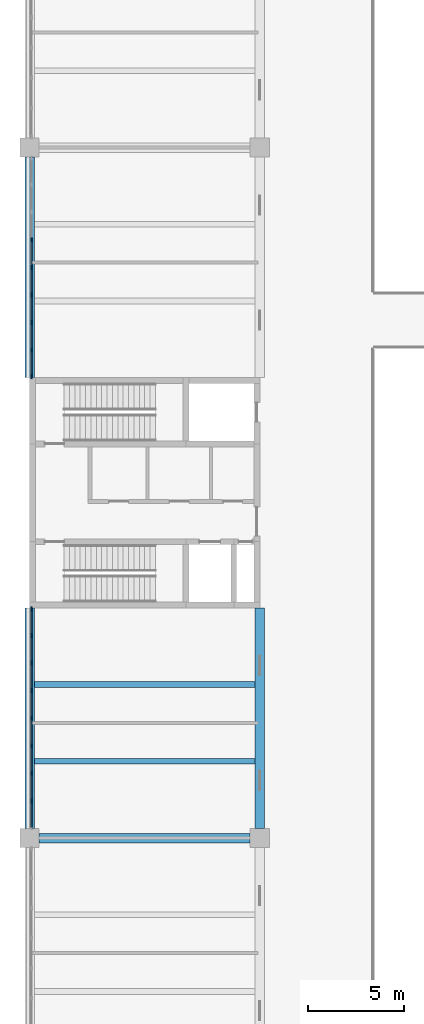
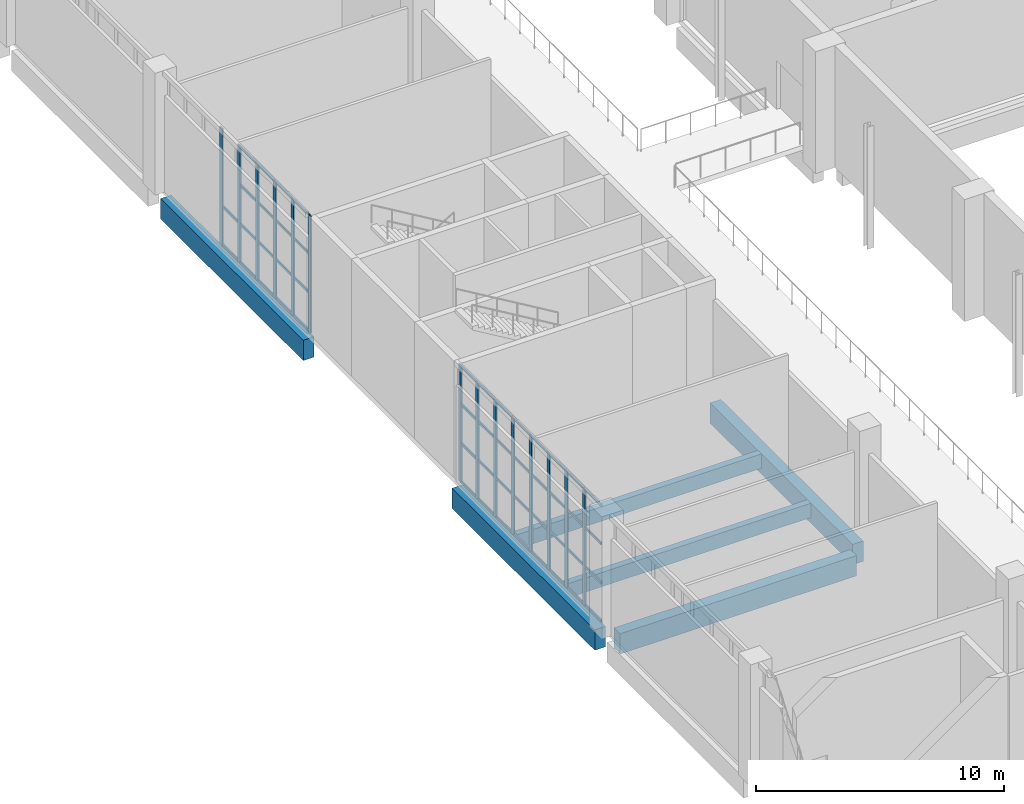
# One storey, part 15 of 72: 64 members, 6 beams, 2 elements without a shape of their own.
"""IFC4 building model written with IfcOpenShell, lengths in metres."""

import ifcopenshell
import ifcopenshell.guid

model = None  # the IFC model being written
_history = None  # IfcOwnerHistory: only IFC2X3 demands one
_inside = {}  # id of a spatial element -> (the spatial element, [elements in it])
_under = {}  # id of a project, library or spatial element -> (it, [spatial elements below it])
_declared = {}  # id of a project -> (the project, [libraries it declares])
_typed = {}  # id of a type object -> (the type object, [elements of that type])
_made_of = {}  # id of a material, layer set ... -> (it, [elements and type objects made of it])


def new_model(schema):
    """Start an empty IFC model of exactly this schema.

    Asked for "IFC4X3", IfcOpenShell would pick the latest addendum, in which some entities
    have other attributes; the version numbers below select the first issue.
    IFC2X3 requires an IfcOwnerHistory on every rooted entity: one is made here for all.
    """
    global model, _history
    if schema == "IFC4X3":
        model = ifcopenshell.file(schema_version=(4, 3, 0, 0))
    else:
        model = ifcopenshell.file(schema=schema)
    _inside.clear()
    _under.clear()
    _declared.clear()
    _typed.clear()
    _made_of.clear()
    _history = None
    if model.schema == "IFC2X3":
        org = make("IfcOrganization", Name="unknown")
        user = make(
            "IfcPersonAndOrganization",
            ThePerson=make("IfcPerson", FamilyName="unknown"),
            TheOrganization=org,
        )
        app = make(
            "IfcApplication",
            ApplicationDeveloper=org,
            Version="unknown",
            ApplicationFullName="unknown",
            ApplicationIdentifier="unknown",
        )
        _history = make(
            "IfcOwnerHistory",
            OwningUser=user,
            OwningApplication=app,
            ChangeAction="ADDED",
            CreationDate=0,
        )
    return model


def make(cls, **values):
    """One entity of the class cls with the attributes given. An attribute that is None is left unset."""
    return model.create_entity(
        cls, **{name: value for name, value in values.items() if value is not None}
    )


def rooted(cls, **values):
    """An entity with a GlobalId (a new one), such as an element, a storey or a relation."""
    return make(cls, GlobalId=ifcopenshell.guid.new(), OwnerHistory=_history, **values)


def si_unit(unit_type, name, prefix=None):
    """IfcSIUnit, for example si_unit("LENGTHUNIT", "METRE", prefix="MILLI")."""
    return make("IfcSIUnit", UnitType=unit_type, Prefix=prefix, Name=name)


def assignment(units):
    """IfcUnitAssignment: the units of a project."""
    return None if units is None else make("IfcUnitAssignment", Units=units)


def point(xyz):
    """IfcCartesianPoint."""
    return None if xyz is None else make("IfcCartesianPoint", Coordinates=xyz)


def direction(xyz):
    """IfcDirection."""
    return None if xyz is None else make("IfcDirection", DirectionRatios=xyz)


def frame(location, z_axis=None, x_axis=None):
    """IfcAxis2Placement3D, a coordinate frame: its origin and axes. An axis left out is left unset."""
    return make(
        "IfcAxis2Placement3D",
        Location=point(location),
        Axis=direction(z_axis),
        RefDirection=direction(x_axis),
    )


def frame_2d(location, x_axis=None):
    """IfcAxis2Placement2D, a coordinate frame in the plane: its origin and x axis."""
    return make(
        "IfcAxis2Placement2D", Location=point(location), RefDirection=direction(x_axis)
    )


def origin():
    """The frame at (0, 0, 0) with its axes left unset."""
    return frame((0.0, 0.0, 0.0))


def origin_2d():
    """The frame at (0, 0) in the plane with its x axis left unset."""
    return frame_2d((0.0, 0.0))


def place(relative_to, where):
    """IfcLocalPlacement: puts the frame where relative to a parent placement (None: the world)."""
    return make(
        "IfcLocalPlacement", PlacementRelTo=relative_to, RelativePlacement=where
    )


def context(
    kind, dimensions, precision=None, world=None, true_north=None, identifier=None
):
    """IfcGeometricRepresentationContext, for example the 3D "Model" context."""
    return make(
        "IfcGeometricRepresentationContext",
        ContextIdentifier=identifier,
        ContextType=kind,
        CoordinateSpaceDimension=dimensions,
        Precision=precision,
        WorldCoordinateSystem=world,
        TrueNorth=true_north,
    )


def subcontext(parent, identifier, kind, view, scale=None):
    """IfcGeometricRepresentationSubContext, for example "Body" below "Model"."""
    return make(
        "IfcGeometricRepresentationSubContext",
        ContextIdentifier=identifier,
        ContextType=kind,
        ParentContext=parent,
        TargetScale=scale,
        TargetView=view,
    )


def project(units=None, contexts=None):
    """IfcProject with its units and contexts."""
    return rooted(
        "IfcProject",
        Name="project",
        RepresentationContexts=contexts,
        UnitsInContext=assignment(units),
    )


def spatial(cls, under=None, at=None, **own):
    """A site, building, storey or space (cls), placed at a placement, below another one or the project."""
    s = rooted(cls, ObjectPlacement=at, **own)
    if under is not None:
        _under.setdefault(under.id(), (under, []))[1].append(s)
    return s


def profile(cls, at=None, kind="AREA", **sizes):
    """A parametric profile (cls). Its sizes go by their IFC names, for example OverallWidth=200.0."""
    return make(cls, ProfileType=kind, Position=at, **sizes)


def rectangle(**sizes):
    """IfcRectangleProfileDef."""
    return profile("IfcRectangleProfileDef", **sizes)


def extrude(swept, where, along, depth):
    """IfcExtrudedAreaSolid: the profile swept, set in the frame where, extruded along a direction by depth."""
    return make(
        "IfcExtrudedAreaSolid",
        SweptArea=swept,
        Position=where,
        ExtrudedDirection=direction(along),
        Depth=depth,
    )


def shape(context_of_items, identifier, shape_type, items):
    """IfcShapeRepresentation: the items that make up one representation, for example the "Body"."""
    return make(
        "IfcShapeRepresentation",
        ContextOfItems=context_of_items,
        RepresentationIdentifier=identifier,
        RepresentationType=shape_type,
        Items=items,
    )


def material(Name=None, Category=None):
    """IfcMaterial."""
    return make("IfcMaterial", Name=Name, Category=Category)


def layer(
    of_material, thickness, ventilated=None, Name=None, Category=None, Priority=None
):
    """IfcMaterialLayer: one layer of a wall or slab, of a material (None: an air gap)."""
    return make(
        "IfcMaterialLayer",
        Material=of_material,
        LayerThickness=thickness,
        IsVentilated=ventilated,
        Name=Name,
        Category=Category,
        Priority=Priority,
    )


def layer_set(layers, Name=None):
    """IfcMaterialLayerSet."""
    return make("IfcMaterialLayerSet", MaterialLayers=layers, LayerSetName=Name)


def material_profile(
    of_material, cross_section, Name=None, Category=None, Priority=None
):
    """IfcMaterialProfile: a cross section and its material."""
    return make(
        "IfcMaterialProfile",
        Name=Name,
        Material=of_material,
        Profile=cross_section,
        Priority=Priority,
        Category=Category,
    )


def profile_set(profiles, Name=None, composite=None):
    """IfcMaterialProfileSet."""
    return make(
        "IfcMaterialProfileSet",
        Name=Name,
        MaterialProfiles=profiles,
        CompositeProfile=composite,
    )


def made_of(thing, what):
    """Note that an element or type object is made of a material, layer set ...; save() writes the relation."""
    if what is not None:
        _made_of.setdefault(what.id(), (what, []))[1].append(thing)
    return thing


def type_object(cls, material=None, **own):
    """A type object (cls), such as IfcWallType, which elements share."""
    return made_of(rooted(cls, **own), material)


def element(
    cls,
    number,
    at=None,
    inside=None,
    cuts=None,
    type_object=None,
    material=None,
    context=None,
    identifier="Body",
    shape_type=None,
    held_by="IfcProductDefinitionShape",
    body=None,
    shapes=None,
    **own,
):
    """One element of the class cls, such as IfcWall. Its Tag is "e" and its number.

    at: its placement. inside: the storey or other place that contains it. cuts: it is an
    opening in that element (IfcRelVoidsElement). A single representation is given by context,
    identifier, shape_type and body (its items); several are given by shapes. held_by: the class
    of the entity that holds the representations. save() writes the other relations.
    """
    e = rooted(cls, Tag="e%d" % number, ObjectPlacement=at, **own)
    if body is not None:
        shapes = [shape(context, identifier, shape_type, body)]
    if shapes is not None:
        e.Representation = make(held_by, Representations=shapes)
    if inside is not None:
        _inside.setdefault(inside.id(), (inside, []))[1].append(e)
    if cuts is not None:
        rooted(
            "IfcRelVoidsElement", RelatingBuildingElement=cuts, RelatedOpeningElement=e
        )
    if type_object is not None:
        _typed.setdefault(type_object.id(), (type_object, []))[1].append(e)
    return made_of(e, material)


def aggregate(whole, parts):
    """IfcRelAggregates: a whole, such as a stair, and the parts it consists of."""
    return rooted("IfcRelAggregates", RelatingObject=whole, RelatedObjects=parts)


def save(model, path):
    """Write the relations noted so far, then the file.

    IfcRelAggregates (storeys below a building ...), IfcRelContainedInSpatialStructure (elements
    in a storey), IfcRelDefinesByType, IfcRelAssociatesMaterial and IfcRelDeclares: one each for
    every whole, place, type object, material and project.
    """
    for whole, parts in _under.values():
        aggregate(whole, parts)
    for where, things in _inside.values():
        rooted(
            "IfcRelContainedInSpatialStructure",
            RelatedElements=things,
            RelatingStructure=where,
        )
    for kind, things in _typed.values():
        rooted("IfcRelDefinesByType", RelatedObjects=things, RelatingType=kind)
    for what, things in _made_of.values():
        rooted("IfcRelAssociatesMaterial", RelatedObjects=things, RelatingMaterial=what)
    for by, libraries in _declared.values():
        rooted("IfcRelDeclares", RelatingContext=by, RelatedDefinitions=libraries)
    model.write(path)


model = new_model("IFC4")

# Units and contexts
model_context = context("Model", 3, precision=1e-05, world=origin(), true_north=direction((0.0, 1.0)))
body_context = subcontext(model_context, "Body", "Model", "MODEL_VIEW")
ifc_project = project(units=[si_unit("LENGTHUNIT", "METRE"), si_unit("AREAUNIT", "SQUARE_METRE"), si_unit("VOLUMEUNIT", "CUBIC_METRE"), si_unit("PLANEANGLEUNIT", "RADIAN"), si_unit("MASSUNIT", "GRAM", prefix="KILO")], contexts=[model_context])

# Site, building, storey
site_placement = place(None, origin())
site = spatial("IfcSite", under=ifc_project, at=site_placement, CompositionType="ELEMENT")
building_placement = place(site_placement, origin())
building = spatial("IfcBuilding", under=site, at=building_placement, Name="Lilac Gate Convention Centre", CompositionType="ELEMENT")
storey_placement = place(building_placement, frame((0.0, 0.0, 6.0)))
storey = spatial("IfcBuildingStorey", under=building, at=storey_placement, Name="L01", CompositionType="ELEMENT", Elevation=6.0)

# Curtain wall, members
ifc_material_1 = material(Name="Aluminium framed double glazing", Category="aluminium")
ifc_layer = layer(ifc_material_1, 0.199951171875)
ifc_layer_set = layer_set([ifc_layer], Name="Aluminium framed double glazing")
curtain_wall_type = type_object("IfcCurtainWallType", Name="Unitised curtain wall 1500", PredefinedType="NOTDEFINED", material=ifc_layer_set)
curtain_wall_1_placement = place(storey_placement, origin())
curtain_wall_1 = element("IfcCurtainWall", 1, at=curtain_wall_1_placement, inside=storey, type_object=curtain_wall_type, Name="Curtain wall PW L01 8", PredefinedType="NOTDEFINED")
ifc_material_2 = material(Name="Aluminium alloy 6063", Category="aluminium")
ifc_material_profile_1 = material_profile(ifc_material_2, rectangle(XDim=0.06005859375, YDim=0.219970703125, at=origin_2d()), Name="Curtain wall mullion 60 x 220")
ifc_profile_set_1 = profile_set([ifc_material_profile_1], Name="Aluminium alloy 6063")
member_type_1 = type_object("IfcMemberType", Name="Curtain wall mullion 60 x 220", PredefinedType="MULLION", material=ifc_profile_set_1)
member_1_placement = place(storey_placement, frame((6.10009765625, 109.1875, 0.0), z_axis=(0.0, 0.0, 1.0), x_axis=(1.0, 0.0, 0.0)))
member_1 = element("IfcMember", 2, at=member_1_placement, type_object=member_type_1, Name="CW mullion 4", PredefinedType="MULLION", context=body_context, shape_type="SweptSolid", body=[
    extrude(rectangle(XDim=0.06005859375, YDim=0.219970703125, at=origin_2d()), origin(), (0.0, 0.0, 1.0), 5.75),
])
member_2_placement = place(storey_placement, frame((6.10009765625, 107.75, 0.0), z_axis=(0.0, 0.0, 1.0), x_axis=(1.0, 0.0, 0.0)))
member_2 = element("IfcMember", 3, at=member_2_placement, type_object=member_type_1, Name="CW mullion 5", PredefinedType="MULLION", context=body_context, shape_type="SweptSolid", body=[
    extrude(rectangle(XDim=0.06005859375, YDim=0.219970703125, at=origin_2d()), origin(), (0.0, 0.0, 1.0), 5.75),
])
member_3_placement = place(storey_placement, frame((6.10009765625, 106.3125, 0.0), z_axis=(0.0, 0.0, 1.0), x_axis=(1.0, 0.0, 0.0)))
member_3 = element("IfcMember", 4, at=member_3_placement, type_object=member_type_1, Name="CW mullion 6", PredefinedType="MULLION", context=body_context, shape_type="SweptSolid", body=[
    extrude(rectangle(XDim=0.06005859375, YDim=0.219970703125, at=origin_2d()), origin(), (0.0, 0.0, 1.0), 5.75),
])
member_4_placement = place(storey_placement, frame((6.10009765625, 104.875, 0.0), z_axis=(0.0, 0.0, 1.0), x_axis=(1.0, 0.0, 0.0)))
member_4 = element("IfcMember", 5, at=member_4_placement, type_object=member_type_1, Name="CW mullion 7", PredefinedType="MULLION", context=body_context, shape_type="SweptSolid", body=[
    extrude(rectangle(XDim=0.06005859375, YDim=0.219970703125, at=origin_2d()), origin(), (0.0, 0.0, 1.0), 5.75),
])
member_5_placement = place(storey_placement, frame((6.10009765625, 103.4375, 0.0), z_axis=(0.0, 0.0, 1.0), x_axis=(1.0, 0.0, 0.0)))
member_5 = element("IfcMember", 6, at=member_5_placement, type_object=member_type_1, Name="CW mullion 8", PredefinedType="MULLION", context=body_context, shape_type="SweptSolid", body=[
    extrude(rectangle(XDim=0.06005859375, YDim=0.219970703125, at=origin_2d()), origin(), (0.0, 0.0, 1.0), 5.75),
])
member_6_placement = place(storey_placement, frame((6.10009765625, 102.06005859375, 0.0), z_axis=(0.0, 0.0, 1.0), x_axis=(1.0, 0.0, 0.0)))
member_6 = element("IfcMember", 7, at=member_6_placement, type_object=member_type_1, Name="CW mullion 9", PredefinedType="MULLION", context=body_context, shape_type="SweptSolid", body=[
    extrude(rectangle(XDim=0.06005859375, YDim=0.219970703125, at=origin_2d()), origin(), (0.0, 0.0, 1.0), 5.75),
])

curtain_wall_2_placement = place(storey_placement, origin())
curtain_wall_2 = element("IfcCurtainWall", 8, at=curtain_wall_2_placement, inside=storey, type_object=curtain_wall_type, Name="Curtain wall PW L01 9", PredefinedType="NOTDEFINED")
member_7_placement = place(storey_placement, frame((6.10009765625, 89.93994140625, 0.0), z_axis=(0.0, 0.0, 1.0), x_axis=(1.0, 0.0, 0.0)))
member_7 = element("IfcMember", 9, at=member_7_placement, type_object=member_type_1, Name="CW mullion 1", PredefinedType="MULLION", context=body_context, shape_type="SweptSolid", body=[
    extrude(rectangle(XDim=0.06005859375, YDim=0.219970703125, at=origin_2d()), origin(), (0.0, 0.0, 1.0), 5.75),
])
member_8_placement = place(storey_placement, frame((6.10009765625, 88.5625, 0.0), z_axis=(0.0, 0.0, 1.0), x_axis=(1.0, 0.0, 0.0)))
member_8 = element("IfcMember", 10, at=member_8_placement, type_object=member_type_1, Name="CW mullion 2", PredefinedType="MULLION", context=body_context, shape_type="SweptSolid", body=[
    extrude(rectangle(XDim=0.06005859375, YDim=0.219970703125, at=origin_2d()), origin(), (0.0, 0.0, 1.0), 5.75),
])
member_9_placement = place(storey_placement, frame((6.10009765625, 87.125, 0.0), z_axis=(0.0, 0.0, 1.0), x_axis=(1.0, 0.0, 0.0)))
member_9 = element("IfcMember", 11, at=member_9_placement, type_object=member_type_1, Name="CW mullion 3", PredefinedType="MULLION", context=body_context, shape_type="SweptSolid", body=[
    extrude(rectangle(XDim=0.06005859375, YDim=0.219970703125, at=origin_2d()), origin(), (0.0, 0.0, 1.0), 5.75),
])
member_10_placement = place(storey_placement, frame((6.10009765625, 85.6875, 0.0), z_axis=(0.0, 0.0, 1.0), x_axis=(1.0, 0.0, 0.0)))
member_10 = element("IfcMember", 12, at=member_10_placement, type_object=member_type_1, Name="CW mullion 4", PredefinedType="MULLION", context=body_context, shape_type="SweptSolid", body=[
    extrude(rectangle(XDim=0.06005859375, YDim=0.219970703125, at=origin_2d()), origin(), (0.0, 0.0, 1.0), 5.75),
])
member_11_placement = place(storey_placement, frame((6.10009765625, 84.25, 0.0), z_axis=(0.0, 0.0, 1.0), x_axis=(1.0, 0.0, 0.0)))
member_11 = element("IfcMember", 13, at=member_11_placement, type_object=member_type_1, Name="CW mullion 5", PredefinedType="MULLION", context=body_context, shape_type="SweptSolid", body=[
    extrude(rectangle(XDim=0.06005859375, YDim=0.219970703125, at=origin_2d()), origin(), (0.0, 0.0, 1.0), 5.75),
])
member_12_placement = place(storey_placement, frame((6.10009765625, 82.8125, 0.0), z_axis=(0.0, 0.0, 1.0), x_axis=(1.0, 0.0, 0.0)))
member_12 = element("IfcMember", 14, at=member_12_placement, type_object=member_type_1, Name="CW mullion 6", PredefinedType="MULLION", context=body_context, shape_type="SweptSolid", body=[
    extrude(rectangle(XDim=0.06005859375, YDim=0.219970703125, at=origin_2d()), origin(), (0.0, 0.0, 1.0), 5.75),
])
member_13_placement = place(storey_placement, frame((6.10009765625, 81.375, 0.0), z_axis=(0.0, 0.0, 1.0), x_axis=(1.0, 0.0, 0.0)))
member_13 = element("IfcMember", 15, at=member_13_placement, type_object=member_type_1, Name="CW mullion 7", PredefinedType="MULLION", context=body_context, shape_type="SweptSolid", body=[
    extrude(rectangle(XDim=0.06005859375, YDim=0.219970703125, at=origin_2d()), origin(), (0.0, 0.0, 1.0), 5.75),
])
member_14_placement = place(storey_placement, frame((6.10009765625, 79.9375, 0.0), z_axis=(0.0, 0.0, 1.0), x_axis=(1.0, 0.0, 0.0)))
member_14 = element("IfcMember", 16, at=member_14_placement, type_object=member_type_1, Name="CW mullion 8", PredefinedType="MULLION", context=body_context, shape_type="SweptSolid", body=[
    extrude(rectangle(XDim=0.06005859375, YDim=0.219970703125, at=origin_2d()), origin(), (0.0, 0.0, 1.0), 5.75),
])

# Member
ifc_material_profile_2 = material_profile(ifc_material_2, rectangle(XDim=0.06005859375, YDim=0.1201171875, at=origin_2d()), Name="Curtain wall transom 60 x 120")
ifc_profile_set_2 = profile_set([ifc_material_profile_2], Name="Aluminium alloy 6063")
member_type_2 = type_object("IfcMemberType", Name="Curtain wall transom 60 x 120", PredefinedType="USERDEFINED", material=ifc_profile_set_2)
member_15_placement = place(storey_placement, frame((6.10009765625, 109.157470703125, 0.030029296875), z_axis=(0.0, -1.0, 0.0), x_axis=(1.0, 0.0, 0.0)))
member_15 = element("IfcMember", 17, at=member_15_placement, type_object=member_type_2, Name="CW transom 4.1", ObjectType="TRANSOM", PredefinedType="USERDEFINED", context=body_context, shape_type="SweptSolid", body=[
    extrude(rectangle(XDim=0.06005859375, YDim=0.1201171875, at=origin_2d()), origin(), (0.0, 0.0, 1.0), 1.37744140625),
])

member_16_placement = place(storey_placement, frame((6.10009765625, 109.157470703125, 1.916748046875), z_axis=(0.0, -1.0, 0.0), x_axis=(1.0, 0.0, 0.0)))
member_16 = element("IfcMember", 18, at=member_16_placement, type_object=member_type_2, Name="CW transom 4.2", ObjectType="TRANSOM", PredefinedType="USERDEFINED", context=body_context, shape_type="SweptSolid", body=[
    extrude(rectangle(XDim=0.06005859375, YDim=0.1201171875, at=origin_2d()), origin(), (0.0, 0.0, 1.0), 1.37744140625),
])

member_17_placement = place(storey_placement, frame((6.10009765625, 107.719970703125, 0.030029296875), z_axis=(0.0, -1.0, 0.0), x_axis=(1.0, 0.0, 0.0)))
member_17 = element("IfcMember", 19, at=member_17_placement, type_object=member_type_2, Name="CW transom 5.1", ObjectType="TRANSOM", PredefinedType="USERDEFINED", context=body_context, shape_type="SweptSolid", body=[
    extrude(rectangle(XDim=0.06005859375, YDim=0.1201171875, at=origin_2d()), origin(), (0.0, 0.0, 1.0), 1.37744140625),
])

member_18_placement = place(storey_placement, frame((6.10009765625, 107.719970703125, 1.916748046875), z_axis=(0.0, -1.0, 0.0), x_axis=(1.0, 0.0, 0.0)))
member_18 = element("IfcMember", 20, at=member_18_placement, type_object=member_type_2, Name="CW transom 5.2", ObjectType="TRANSOM", PredefinedType="USERDEFINED", context=body_context, shape_type="SweptSolid", body=[
    extrude(rectangle(XDim=0.06005859375, YDim=0.1201171875, at=origin_2d()), origin(), (0.0, 0.0, 1.0), 1.37744140625),
])

member_19_placement = place(storey_placement, frame((6.10009765625, 107.719970703125, 3.833251953125), z_axis=(0.0, -1.0, 0.0), x_axis=(1.0, 0.0, 0.0)))
member_19 = element("IfcMember", 21, at=member_19_placement, type_object=member_type_2, Name="CW transom 5.3", ObjectType="TRANSOM", PredefinedType="USERDEFINED", context=body_context, shape_type="SweptSolid", body=[
    extrude(rectangle(XDim=0.06005859375, YDim=0.1201171875, at=origin_2d()), origin(), (0.0, 0.0, 1.0), 1.37744140625),
])

member_20_placement = place(storey_placement, frame((6.10009765625, 107.719970703125, 5.719970703125), z_axis=(0.0, -1.0, 0.0), x_axis=(1.0, 0.0, 0.0)))
member_20 = element("IfcMember", 22, at=member_20_placement, type_object=member_type_2, Name="CW transom 5.4", ObjectType="TRANSOM", PredefinedType="USERDEFINED", context=body_context, shape_type="SweptSolid", body=[
    extrude(rectangle(XDim=0.06005859375, YDim=0.1201171875, at=origin_2d()), origin(), (0.0, 0.0, 1.0), 1.37744140625),
])

member_21_placement = place(storey_placement, frame((6.10009765625, 106.282470703125, 0.030029296875), z_axis=(0.0, -1.0, 0.0), x_axis=(1.0, 0.0, 0.0)))
member_21 = element("IfcMember", 23, at=member_21_placement, type_object=member_type_2, Name="CW transom 6.1", ObjectType="TRANSOM", PredefinedType="USERDEFINED", context=body_context, shape_type="SweptSolid", body=[
    extrude(rectangle(XDim=0.06005859375, YDim=0.1201171875, at=origin_2d()), origin(), (0.0, 0.0, 1.0), 1.37744140625),
])

member_22_placement = place(storey_placement, frame((6.10009765625, 106.282470703125, 1.916748046875), z_axis=(0.0, -1.0, 0.0), x_axis=(1.0, 0.0, 0.0)))
member_22 = element("IfcMember", 24, at=member_22_placement, type_object=member_type_2, Name="CW transom 6.2", ObjectType="TRANSOM", PredefinedType="USERDEFINED", context=body_context, shape_type="SweptSolid", body=[
    extrude(rectangle(XDim=0.06005859375, YDim=0.1201171875, at=origin_2d()), origin(), (0.0, 0.0, 1.0), 1.37744140625),
])

member_23_placement = place(storey_placement, frame((6.10009765625, 106.282470703125, 3.833251953125), z_axis=(0.0, -1.0, 0.0), x_axis=(1.0, 0.0, 0.0)))
member_23 = element("IfcMember", 25, at=member_23_placement, type_object=member_type_2, Name="CW transom 6.3", ObjectType="TRANSOM", PredefinedType="USERDEFINED", context=body_context, shape_type="SweptSolid", body=[
    extrude(rectangle(XDim=0.06005859375, YDim=0.1201171875, at=origin_2d()), origin(), (0.0, 0.0, 1.0), 1.37744140625),
])

member_24_placement = place(storey_placement, frame((6.10009765625, 106.282470703125, 5.719970703125), z_axis=(0.0, -1.0, 0.0), x_axis=(1.0, 0.0, 0.0)))
member_24 = element("IfcMember", 26, at=member_24_placement, type_object=member_type_2, Name="CW transom 6.4", ObjectType="TRANSOM", PredefinedType="USERDEFINED", context=body_context, shape_type="SweptSolid", body=[
    extrude(rectangle(XDim=0.06005859375, YDim=0.1201171875, at=origin_2d()), origin(), (0.0, 0.0, 1.0), 1.37744140625),
])

member_25_placement = place(storey_placement, frame((6.10009765625, 104.844970703125, 0.030029296875), z_axis=(0.0, -1.0, 0.0), x_axis=(1.0, 0.0, 0.0)))
member_25 = element("IfcMember", 27, at=member_25_placement, type_object=member_type_2, Name="CW transom 7.1", ObjectType="TRANSOM", PredefinedType="USERDEFINED", context=body_context, shape_type="SweptSolid", body=[
    extrude(rectangle(XDim=0.06005859375, YDim=0.1201171875, at=origin_2d()), origin(), (0.0, 0.0, 1.0), 1.37744140625),
])

member_26_placement = place(storey_placement, frame((6.10009765625, 104.844970703125, 1.916748046875), z_axis=(0.0, -1.0, 0.0), x_axis=(1.0, 0.0, 0.0)))
member_26 = element("IfcMember", 28, at=member_26_placement, type_object=member_type_2, Name="CW transom 7.2", ObjectType="TRANSOM", PredefinedType="USERDEFINED", context=body_context, shape_type="SweptSolid", body=[
    extrude(rectangle(XDim=0.06005859375, YDim=0.1201171875, at=origin_2d()), origin(), (0.0, 0.0, 1.0), 1.37744140625),
])

member_27_placement = place(storey_placement, frame((6.10009765625, 104.844970703125, 3.833251953125), z_axis=(0.0, -1.0, 0.0), x_axis=(1.0, 0.0, 0.0)))
member_27 = element("IfcMember", 29, at=member_27_placement, type_object=member_type_2, Name="CW transom 7.3", ObjectType="TRANSOM", PredefinedType="USERDEFINED", context=body_context, shape_type="SweptSolid", body=[
    extrude(rectangle(XDim=0.06005859375, YDim=0.1201171875, at=origin_2d()), origin(), (0.0, 0.0, 1.0), 1.37744140625),
])

member_28_placement = place(storey_placement, frame((6.10009765625, 104.844970703125, 5.719970703125), z_axis=(0.0, -1.0, 0.0), x_axis=(1.0, 0.0, 0.0)))
member_28 = element("IfcMember", 30, at=member_28_placement, type_object=member_type_2, Name="CW transom 7.4", ObjectType="TRANSOM", PredefinedType="USERDEFINED", context=body_context, shape_type="SweptSolid", body=[
    extrude(rectangle(XDim=0.06005859375, YDim=0.1201171875, at=origin_2d()), origin(), (0.0, 0.0, 1.0), 1.37744140625),
])

member_29_placement = place(storey_placement, frame((6.10009765625, 103.407470703125, 0.030029296875), z_axis=(0.0, -1.0, 0.0), x_axis=(1.0, 0.0, 0.0)))
member_29 = element("IfcMember", 31, at=member_29_placement, type_object=member_type_2, Name="CW transom 8.1", ObjectType="TRANSOM", PredefinedType="USERDEFINED", context=body_context, shape_type="SweptSolid", body=[
    extrude(rectangle(XDim=0.06005859375, YDim=0.1201171875, at=origin_2d()), origin(), (0.0, 0.0, 1.0), 1.347412109375),
])

member_30_placement = place(storey_placement, frame((6.10009765625, 103.407470703125, 1.916748046875), z_axis=(0.0, -1.0, 0.0), x_axis=(1.0, 0.0, 0.0)))
member_30 = element("IfcMember", 32, at=member_30_placement, type_object=member_type_2, Name="CW transom 8.2", ObjectType="TRANSOM", PredefinedType="USERDEFINED", context=body_context, shape_type="SweptSolid", body=[
    extrude(rectangle(XDim=0.06005859375, YDim=0.1201171875, at=origin_2d()), origin(), (0.0, 0.0, 1.0), 1.347412109375),
])

member_31_placement = place(storey_placement, frame((6.10009765625, 103.407470703125, 3.833251953125), z_axis=(0.0, -1.0, 0.0), x_axis=(1.0, 0.0, 0.0)))
member_31 = element("IfcMember", 33, at=member_31_placement, type_object=member_type_2, Name="CW transom 8.3", ObjectType="TRANSOM", PredefinedType="USERDEFINED", context=body_context, shape_type="SweptSolid", body=[
    extrude(rectangle(XDim=0.06005859375, YDim=0.1201171875, at=origin_2d()), origin(), (0.0, 0.0, 1.0), 1.347412109375),
])

member_32_placement = place(storey_placement, frame((6.10009765625, 103.407470703125, 5.719970703125), z_axis=(0.0, -1.0, 0.0), x_axis=(1.0, 0.0, 0.0)))
member_32 = element("IfcMember", 34, at=member_32_placement, type_object=member_type_2, Name="CW transom 8.4", ObjectType="TRANSOM", PredefinedType="USERDEFINED", context=body_context, shape_type="SweptSolid", body=[
    extrude(rectangle(XDim=0.06005859375, YDim=0.1201171875, at=origin_2d()), origin(), (0.0, 0.0, 1.0), 1.347412109375),
])

aggregate(curtain_wall_1, [member_1, member_2, member_3, member_4, member_5, member_6, member_15, member_16, member_17, member_18, member_19, member_20, member_21, member_22, member_23, member_24, member_25, member_26, member_27, member_28, member_29, member_30, member_31, member_32])

member_33_placement = place(storey_placement, frame((6.10009765625, 89.93994140625, 0.030029296875), z_axis=(0.0, -1.0, 0.0), x_axis=(1.0, 0.0, 0.0)))
member_33 = element("IfcMember", 35, at=member_33_placement, type_object=member_type_2, Name="CW transom 1.1", ObjectType="TRANSOM", PredefinedType="USERDEFINED", context=body_context, shape_type="SweptSolid", body=[
    extrude(rectangle(XDim=0.06005859375, YDim=0.1201171875, at=origin_2d()), origin(), (0.0, 0.0, 1.0), 1.347412109375),
])

member_34_placement = place(storey_placement, frame((6.10009765625, 89.93994140625, 1.916748046875), z_axis=(0.0, -1.0, 0.0), x_axis=(1.0, 0.0, 0.0)))
member_34 = element("IfcMember", 36, at=member_34_placement, type_object=member_type_2, Name="CW transom 1.2", ObjectType="TRANSOM", PredefinedType="USERDEFINED", context=body_context, shape_type="SweptSolid", body=[
    extrude(rectangle(XDim=0.06005859375, YDim=0.1201171875, at=origin_2d()), origin(), (0.0, 0.0, 1.0), 1.347412109375),
])

member_35_placement = place(storey_placement, frame((6.10009765625, 89.93994140625, 3.833251953125), z_axis=(0.0, -1.0, 0.0), x_axis=(1.0, 0.0, 0.0)))
member_35 = element("IfcMember", 37, at=member_35_placement, type_object=member_type_2, Name="CW transom 1.3", ObjectType="TRANSOM", PredefinedType="USERDEFINED", context=body_context, shape_type="SweptSolid", body=[
    extrude(rectangle(XDim=0.06005859375, YDim=0.1201171875, at=origin_2d()), origin(), (0.0, 0.0, 1.0), 1.347412109375),
])

member_36_placement = place(storey_placement, frame((6.10009765625, 89.93994140625, 5.719970703125), z_axis=(0.0, -1.0, 0.0), x_axis=(1.0, 0.0, 0.0)))
member_36 = element("IfcMember", 38, at=member_36_placement, type_object=member_type_2, Name="CW transom 1.4", ObjectType="TRANSOM", PredefinedType="USERDEFINED", context=body_context, shape_type="SweptSolid", body=[
    extrude(rectangle(XDim=0.06005859375, YDim=0.1201171875, at=origin_2d()), origin(), (0.0, 0.0, 1.0), 1.347412109375),
])

member_37_placement = place(storey_placement, frame((6.10009765625, 88.532470703125, 0.030029296875), z_axis=(0.0, -1.0, 0.0), x_axis=(1.0, 0.0, 0.0)))
member_37 = element("IfcMember", 39, at=member_37_placement, type_object=member_type_2, Name="CW transom 2.1", ObjectType="TRANSOM", PredefinedType="USERDEFINED", context=body_context, shape_type="SweptSolid", body=[
    extrude(rectangle(XDim=0.06005859375, YDim=0.1201171875, at=origin_2d()), origin(), (0.0, 0.0, 1.0), 1.37744140625),
])

member_38_placement = place(storey_placement, frame((6.10009765625, 88.532470703125, 1.916748046875), z_axis=(0.0, -1.0, 0.0), x_axis=(1.0, 0.0, 0.0)))
member_38 = element("IfcMember", 40, at=member_38_placement, type_object=member_type_2, Name="CW transom 2.2", ObjectType="TRANSOM", PredefinedType="USERDEFINED", context=body_context, shape_type="SweptSolid", body=[
    extrude(rectangle(XDim=0.06005859375, YDim=0.1201171875, at=origin_2d()), origin(), (0.0, 0.0, 1.0), 1.37744140625),
])

member_39_placement = place(storey_placement, frame((6.10009765625, 88.532470703125, 3.833251953125), z_axis=(0.0, -1.0, 0.0), x_axis=(1.0, 0.0, 0.0)))
member_39 = element("IfcMember", 41, at=member_39_placement, type_object=member_type_2, Name="CW transom 2.3", ObjectType="TRANSOM", PredefinedType="USERDEFINED", context=body_context, shape_type="SweptSolid", body=[
    extrude(rectangle(XDim=0.06005859375, YDim=0.1201171875, at=origin_2d()), origin(), (0.0, 0.0, 1.0), 1.37744140625),
])

member_40_placement = place(storey_placement, frame((6.10009765625, 88.532470703125, 5.719970703125), z_axis=(0.0, -1.0, 0.0), x_axis=(1.0, 0.0, 0.0)))
member_40 = element("IfcMember", 42, at=member_40_placement, type_object=member_type_2, Name="CW transom 2.4", ObjectType="TRANSOM", PredefinedType="USERDEFINED", context=body_context, shape_type="SweptSolid", body=[
    extrude(rectangle(XDim=0.06005859375, YDim=0.1201171875, at=origin_2d()), origin(), (0.0, 0.0, 1.0), 1.37744140625),
])

member_41_placement = place(storey_placement, frame((6.10009765625, 87.094970703125, 0.030029296875), z_axis=(0.0, -1.0, 0.0), x_axis=(1.0, 0.0, 0.0)))
member_41 = element("IfcMember", 43, at=member_41_placement, type_object=member_type_2, Name="CW transom 3.1", ObjectType="TRANSOM", PredefinedType="USERDEFINED", context=body_context, shape_type="SweptSolid", body=[
    extrude(rectangle(XDim=0.06005859375, YDim=0.1201171875, at=origin_2d()), origin(), (0.0, 0.0, 1.0), 1.37744140625),
])

member_42_placement = place(storey_placement, frame((6.10009765625, 87.094970703125, 1.916748046875), z_axis=(0.0, -1.0, 0.0), x_axis=(1.0, 0.0, 0.0)))
member_42 = element("IfcMember", 44, at=member_42_placement, type_object=member_type_2, Name="CW transom 3.2", ObjectType="TRANSOM", PredefinedType="USERDEFINED", context=body_context, shape_type="SweptSolid", body=[
    extrude(rectangle(XDim=0.06005859375, YDim=0.1201171875, at=origin_2d()), origin(), (0.0, 0.0, 1.0), 1.37744140625),
])

member_43_placement = place(storey_placement, frame((6.10009765625, 87.094970703125, 3.833251953125), z_axis=(0.0, -1.0, 0.0), x_axis=(1.0, 0.0, 0.0)))
member_43 = element("IfcMember", 45, at=member_43_placement, type_object=member_type_2, Name="CW transom 3.3", ObjectType="TRANSOM", PredefinedType="USERDEFINED", context=body_context, shape_type="SweptSolid", body=[
    extrude(rectangle(XDim=0.06005859375, YDim=0.1201171875, at=origin_2d()), origin(), (0.0, 0.0, 1.0), 1.37744140625),
])

member_44_placement = place(storey_placement, frame((6.10009765625, 87.094970703125, 5.719970703125), z_axis=(0.0, -1.0, 0.0), x_axis=(1.0, 0.0, 0.0)))
member_44 = element("IfcMember", 46, at=member_44_placement, type_object=member_type_2, Name="CW transom 3.4", ObjectType="TRANSOM", PredefinedType="USERDEFINED", context=body_context, shape_type="SweptSolid", body=[
    extrude(rectangle(XDim=0.06005859375, YDim=0.1201171875, at=origin_2d()), origin(), (0.0, 0.0, 1.0), 1.37744140625),
])

member_45_placement = place(storey_placement, frame((6.10009765625, 85.657470703125, 0.030029296875), z_axis=(0.0, -1.0, 0.0), x_axis=(1.0, 0.0, 0.0)))
member_45 = element("IfcMember", 47, at=member_45_placement, type_object=member_type_2, Name="CW transom 4.1", ObjectType="TRANSOM", PredefinedType="USERDEFINED", context=body_context, shape_type="SweptSolid", body=[
    extrude(rectangle(XDim=0.06005859375, YDim=0.1201171875, at=origin_2d()), origin(), (0.0, 0.0, 1.0), 1.37744140625),
])

member_46_placement = place(storey_placement, frame((6.10009765625, 85.657470703125, 1.916748046875), z_axis=(0.0, -1.0, 0.0), x_axis=(1.0, 0.0, 0.0)))
member_46 = element("IfcMember", 48, at=member_46_placement, type_object=member_type_2, Name="CW transom 4.2", ObjectType="TRANSOM", PredefinedType="USERDEFINED", context=body_context, shape_type="SweptSolid", body=[
    extrude(rectangle(XDim=0.06005859375, YDim=0.1201171875, at=origin_2d()), origin(), (0.0, 0.0, 1.0), 1.37744140625),
])

member_47_placement = place(storey_placement, frame((6.10009765625, 85.657470703125, 3.833251953125), z_axis=(0.0, -1.0, 0.0), x_axis=(1.0, 0.0, 0.0)))
member_47 = element("IfcMember", 49, at=member_47_placement, type_object=member_type_2, Name="CW transom 4.3", ObjectType="TRANSOM", PredefinedType="USERDEFINED", context=body_context, shape_type="SweptSolid", body=[
    extrude(rectangle(XDim=0.06005859375, YDim=0.1201171875, at=origin_2d()), origin(), (0.0, 0.0, 1.0), 1.37744140625),
])

member_48_placement = place(storey_placement, frame((6.10009765625, 85.657470703125, 5.719970703125), z_axis=(0.0, -1.0, 0.0), x_axis=(1.0, 0.0, 0.0)))
member_48 = element("IfcMember", 50, at=member_48_placement, type_object=member_type_2, Name="CW transom 4.4", ObjectType="TRANSOM", PredefinedType="USERDEFINED", context=body_context, shape_type="SweptSolid", body=[
    extrude(rectangle(XDim=0.06005859375, YDim=0.1201171875, at=origin_2d()), origin(), (0.0, 0.0, 1.0), 1.37744140625),
])

member_49_placement = place(storey_placement, frame((6.10009765625, 84.219970703125, 0.030029296875), z_axis=(0.0, -1.0, 0.0), x_axis=(1.0, 0.0, 0.0)))
member_49 = element("IfcMember", 51, at=member_49_placement, type_object=member_type_2, Name="CW transom 5.1", ObjectType="TRANSOM", PredefinedType="USERDEFINED", context=body_context, shape_type="SweptSolid", body=[
    extrude(rectangle(XDim=0.06005859375, YDim=0.1201171875, at=origin_2d()), origin(), (0.0, 0.0, 1.0), 1.37744140625),
])

member_50_placement = place(storey_placement, frame((6.10009765625, 84.219970703125, 1.916748046875), z_axis=(0.0, -1.0, 0.0), x_axis=(1.0, 0.0, 0.0)))
member_50 = element("IfcMember", 52, at=member_50_placement, type_object=member_type_2, Name="CW transom 5.2", ObjectType="TRANSOM", PredefinedType="USERDEFINED", context=body_context, shape_type="SweptSolid", body=[
    extrude(rectangle(XDim=0.06005859375, YDim=0.1201171875, at=origin_2d()), origin(), (0.0, 0.0, 1.0), 1.37744140625),
])

member_51_placement = place(storey_placement, frame((6.10009765625, 84.219970703125, 3.833251953125), z_axis=(0.0, -1.0, 0.0), x_axis=(1.0, 0.0, 0.0)))
member_51 = element("IfcMember", 53, at=member_51_placement, type_object=member_type_2, Name="CW transom 5.3", ObjectType="TRANSOM", PredefinedType="USERDEFINED", context=body_context, shape_type="SweptSolid", body=[
    extrude(rectangle(XDim=0.06005859375, YDim=0.1201171875, at=origin_2d()), origin(), (0.0, 0.0, 1.0), 1.37744140625),
])

member_52_placement = place(storey_placement, frame((6.10009765625, 84.219970703125, 5.719970703125), z_axis=(0.0, -1.0, 0.0), x_axis=(1.0, 0.0, 0.0)))
member_52 = element("IfcMember", 54, at=member_52_placement, type_object=member_type_2, Name="CW transom 5.4", ObjectType="TRANSOM", PredefinedType="USERDEFINED", context=body_context, shape_type="SweptSolid", body=[
    extrude(rectangle(XDim=0.06005859375, YDim=0.1201171875, at=origin_2d()), origin(), (0.0, 0.0, 1.0), 1.37744140625),
])

member_53_placement = place(storey_placement, frame((6.10009765625, 82.782470703125, 0.030029296875), z_axis=(0.0, -1.0, 0.0), x_axis=(1.0, 0.0, 0.0)))
member_53 = element("IfcMember", 55, at=member_53_placement, type_object=member_type_2, Name="CW transom 6.1", ObjectType="TRANSOM", PredefinedType="USERDEFINED", context=body_context, shape_type="SweptSolid", body=[
    extrude(rectangle(XDim=0.06005859375, YDim=0.1201171875, at=origin_2d()), origin(), (0.0, 0.0, 1.0), 1.37744140625),
])

member_54_placement = place(storey_placement, frame((6.10009765625, 82.782470703125, 1.916748046875), z_axis=(0.0, -1.0, 0.0), x_axis=(1.0, 0.0, 0.0)))
member_54 = element("IfcMember", 56, at=member_54_placement, type_object=member_type_2, Name="CW transom 6.2", ObjectType="TRANSOM", PredefinedType="USERDEFINED", context=body_context, shape_type="SweptSolid", body=[
    extrude(rectangle(XDim=0.06005859375, YDim=0.1201171875, at=origin_2d()), origin(), (0.0, 0.0, 1.0), 1.37744140625),
])

member_55_placement = place(storey_placement, frame((6.10009765625, 82.782470703125, 3.833251953125), z_axis=(0.0, -1.0, 0.0), x_axis=(1.0, 0.0, 0.0)))
member_55 = element("IfcMember", 57, at=member_55_placement, type_object=member_type_2, Name="CW transom 6.3", ObjectType="TRANSOM", PredefinedType="USERDEFINED", context=body_context, shape_type="SweptSolid", body=[
    extrude(rectangle(XDim=0.06005859375, YDim=0.1201171875, at=origin_2d()), origin(), (0.0, 0.0, 1.0), 1.37744140625),
])

member_56_placement = place(storey_placement, frame((6.10009765625, 82.782470703125, 5.719970703125), z_axis=(0.0, -1.0, 0.0), x_axis=(1.0, 0.0, 0.0)))
member_56 = element("IfcMember", 58, at=member_56_placement, type_object=member_type_2, Name="CW transom 6.4", ObjectType="TRANSOM", PredefinedType="USERDEFINED", context=body_context, shape_type="SweptSolid", body=[
    extrude(rectangle(XDim=0.06005859375, YDim=0.1201171875, at=origin_2d()), origin(), (0.0, 0.0, 1.0), 1.37744140625),
])

member_57_placement = place(storey_placement, frame((6.10009765625, 81.344970703125, 0.030029296875), z_axis=(0.0, -1.0, 0.0), x_axis=(1.0, 0.0, 0.0)))
member_57 = element("IfcMember", 59, at=member_57_placement, type_object=member_type_2, Name="CW transom 7.1", ObjectType="TRANSOM", PredefinedType="USERDEFINED", context=body_context, shape_type="SweptSolid", body=[
    extrude(rectangle(XDim=0.06005859375, YDim=0.1201171875, at=origin_2d()), origin(), (0.0, 0.0, 1.0), 1.37744140625),
])

member_58_placement = place(storey_placement, frame((6.10009765625, 81.344970703125, 1.916748046875), z_axis=(0.0, -1.0, 0.0), x_axis=(1.0, 0.0, 0.0)))
member_58 = element("IfcMember", 60, at=member_58_placement, type_object=member_type_2, Name="CW transom 7.2", ObjectType="TRANSOM", PredefinedType="USERDEFINED", context=body_context, shape_type="SweptSolid", body=[
    extrude(rectangle(XDim=0.06005859375, YDim=0.1201171875, at=origin_2d()), origin(), (0.0, 0.0, 1.0), 1.37744140625),
])

member_59_placement = place(storey_placement, frame((6.10009765625, 81.344970703125, 3.833251953125), z_axis=(0.0, -1.0, 0.0), x_axis=(1.0, 0.0, 0.0)))
member_59 = element("IfcMember", 61, at=member_59_placement, type_object=member_type_2, Name="CW transom 7.3", ObjectType="TRANSOM", PredefinedType="USERDEFINED", context=body_context, shape_type="SweptSolid", body=[
    extrude(rectangle(XDim=0.06005859375, YDim=0.1201171875, at=origin_2d()), origin(), (0.0, 0.0, 1.0), 1.37744140625),
])

member_60_placement = place(storey_placement, frame((6.10009765625, 81.344970703125, 5.719970703125), z_axis=(0.0, -1.0, 0.0), x_axis=(1.0, 0.0, 0.0)))
member_60 = element("IfcMember", 62, at=member_60_placement, type_object=member_type_2, Name="CW transom 7.4", ObjectType="TRANSOM", PredefinedType="USERDEFINED", context=body_context, shape_type="SweptSolid", body=[
    extrude(rectangle(XDim=0.06005859375, YDim=0.1201171875, at=origin_2d()), origin(), (0.0, 0.0, 1.0), 1.37744140625),
])

member_61_placement = place(storey_placement, frame((6.10009765625, 79.907470703125, 0.030029296875), z_axis=(0.0, -1.0, 0.0), x_axis=(1.0, 0.0, 0.0)))
member_61 = element("IfcMember", 63, at=member_61_placement, type_object=member_type_2, Name="CW transom 8.1", ObjectType="TRANSOM", PredefinedType="USERDEFINED", context=body_context, shape_type="SweptSolid", body=[
    extrude(rectangle(XDim=0.06005859375, YDim=0.1201171875, at=origin_2d()), origin(), (0.0, 0.0, 1.0), 1.347412109375),
])

member_62_placement = place(storey_placement, frame((6.10009765625, 79.907470703125, 1.916748046875), z_axis=(0.0, -1.0, 0.0), x_axis=(1.0, 0.0, 0.0)))
member_62 = element("IfcMember", 64, at=member_62_placement, type_object=member_type_2, Name="CW transom 8.2", ObjectType="TRANSOM", PredefinedType="USERDEFINED", context=body_context, shape_type="SweptSolid", body=[
    extrude(rectangle(XDim=0.06005859375, YDim=0.1201171875, at=origin_2d()), origin(), (0.0, 0.0, 1.0), 1.347412109375),
])

member_63_placement = place(storey_placement, frame((6.10009765625, 79.907470703125, 3.833251953125), z_axis=(0.0, -1.0, 0.0), x_axis=(1.0, 0.0, 0.0)))
member_63 = element("IfcMember", 65, at=member_63_placement, type_object=member_type_2, Name="CW transom 8.3", ObjectType="TRANSOM", PredefinedType="USERDEFINED", context=body_context, shape_type="SweptSolid", body=[
    extrude(rectangle(XDim=0.06005859375, YDim=0.1201171875, at=origin_2d()), origin(), (0.0, 0.0, 1.0), 1.347412109375),
])

member_64_placement = place(storey_placement, frame((6.10009765625, 79.907470703125, 5.719970703125), z_axis=(0.0, -1.0, 0.0), x_axis=(1.0, 0.0, 0.0)))
member_64 = element("IfcMember", 66, at=member_64_placement, type_object=member_type_2, Name="CW transom 8.4", ObjectType="TRANSOM", PredefinedType="USERDEFINED", context=body_context, shape_type="SweptSolid", body=[
    extrude(rectangle(XDim=0.06005859375, YDim=0.1201171875, at=origin_2d()), origin(), (0.0, 0.0, 1.0), 1.347412109375),
])

aggregate(curtain_wall_2, [member_7, member_8, member_9, member_10, member_11, member_12, member_13, member_14, member_33, member_34, member_35, member_36, member_37, member_38, member_39, member_40, member_41, member_42, member_43, member_44, member_45, member_46, member_47, member_48, member_49, member_50, member_51, member_52, member_53, member_54, member_55, member_56, member_57, member_58, member_59, member_60, member_61, member_62, member_63, member_64])

# Beams
ifc_material_3 = material(Name="Concrete C40", Category="concrete")
ifc_material_profile_3 = material_profile(ifc_material_3, rectangle(XDim=0.5, YDim=1.0, at=origin_2d()), Name="RC 500x1000")
ifc_profile_set_3 = profile_set([ifc_material_profile_3], Name="Concrete C40")
beam_type_1 = type_object("IfcBeamType", Name="Primary beam 500x1000 C40", PredefinedType="BEAM", material=ifc_profile_set_3)
beam_placement = place(storey_placement, frame((6.5, 78.0, -0.75), z_axis=(1.0, 0.0, 0.0), x_axis=(0.0, 1.0, 0.0)))
element("IfcBeam", 67, at=beam_placement, inside=storey, type_object=beam_type_1, Name="RB1 L01 1/E-2/E", PredefinedType="BEAM", context=body_context, shape_type="SweptSolid", body=[
    extrude(rectangle(XDim=0.5, YDim=1.0, at=origin_2d()), origin(), (0.0, 0.0, 1.0), 11.0),
])
for number, where, z_axis, x_axis, name in (
    (68, (6.0, 78.5, -0.75), (0.0, 1.0, 0.0), (-1.0, 0.0, 0.0), "RB1 L01 1/E-1/F"),
    (69, (6.0, 102.0, -0.75), (0.0, 1.0, 0.0), (-1.0, 0.0, 0.0), "RB1 L01 1/G-1/H"),
    (70, (18.0, 78.5, -0.75), (0.0, 1.0, 0.0), (-1.0, 0.0, 0.0), "RB1 L01 2/E-2/F"),
):
    element("IfcBeam", number, at=place(storey_placement, frame(where, z_axis=z_axis, x_axis=x_axis)), inside=storey, type_object=beam_type_1, Name=name, PredefinedType="BEAM", context=body_context, shape_type="SweptSolid", body=[
        extrude(rectangle(XDim=0.5, YDim=1.0, at=origin_2d()), origin(), (0.0, 0.0, 1.0), 11.5),
    ])
ifc_material_profile_4 = material_profile(ifc_material_3, rectangle(XDim=0.300048828125, YDim=0.699951171875, at=origin_2d()), Name="RC 300x700")
ifc_profile_set_4 = profile_set([ifc_material_profile_4], Name="Concrete C40")
beam_type_2 = type_object("IfcBeamType", Name="Secondary beam 300x700 C40", PredefinedType="BEAM", material=ifc_profile_set_4)
for number, where, z_axis, x_axis, name in (
    (71, (6.25, 82.0, -0.60009765625), (1.0, 0.0, 0.0), (0.0, 1.0, 0.0), "RB2 L01 bay 1/E"),
    (72, (6.25, 86.0, -0.60009765625), (1.0, 0.0, 0.0), (0.0, 1.0, 0.0), "RB2 L01 bay 1/E"),
):
    element("IfcBeam", number, at=place(storey_placement, frame(where, z_axis=z_axis, x_axis=x_axis)), inside=storey, type_object=beam_type_2, Name=name, PredefinedType="BEAM", context=body_context, shape_type="SweptSolid", body=[
        extrude(rectangle(XDim=0.300048828125, YDim=0.699951171875, at=origin_2d()), origin(), (0.0, 0.0, 1.0), 11.5),
    ])

save(model, "model.ifc")
